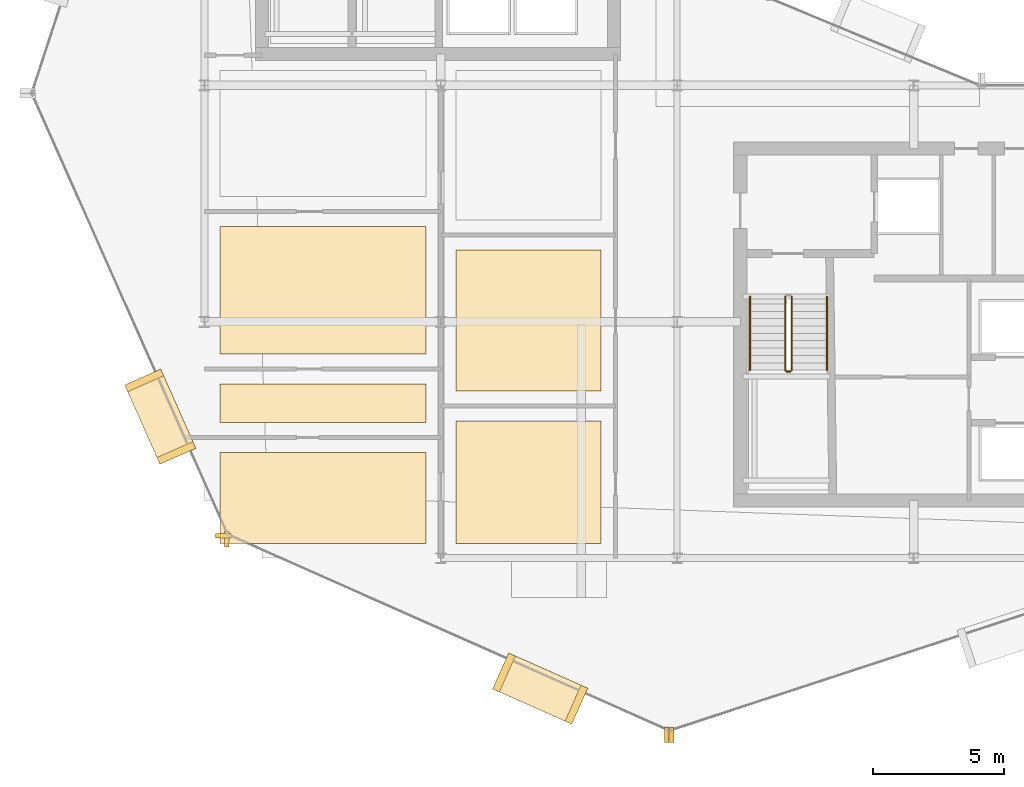
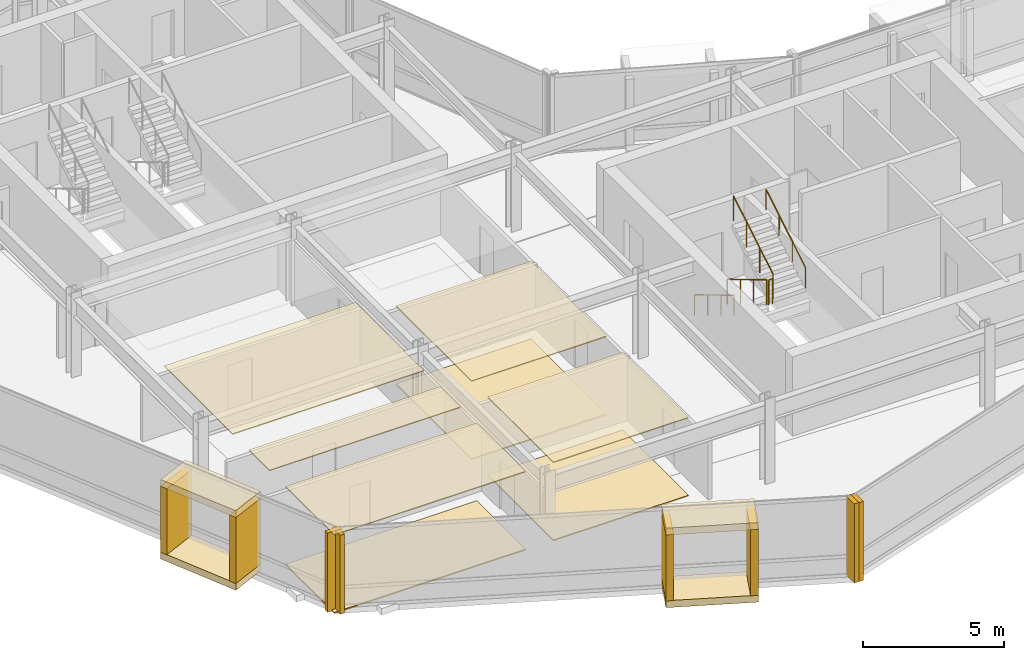
# One storey, part 22 of 27: 20 coverings, 5 railings.
"""IFC4 building model written with IfcOpenShell, lengths in metres."""

from ifc_helpers import new_model, si_unit, direction, frame, origin, origin_2d, place, context, subcontext, project, spatial, polyline, rectangle, circle, outline, extrude, material, layer, layer_set, type_object, element, save


model = new_model("IFC4")

# Units and contexts
model_context = context("Model", 3, precision=1e-05, world=origin(), true_north=direction((0.0, 1.0)))
body_context = subcontext(model_context, "Body", "Model", "MODEL_VIEW")
ifc_project = project(units=[si_unit("LENGTHUNIT", "METRE"), si_unit("AREAUNIT", "SQUARE_METRE"), si_unit("VOLUMEUNIT", "CUBIC_METRE"), si_unit("PLANEANGLEUNIT", "RADIAN"), si_unit("MASSUNIT", "GRAM", prefix="KILO")], contexts=[model_context])

# Site, building, storey
site_placement = place(None, origin())
site = spatial("IfcSite", under=ifc_project, at=site_placement, CompositionType="ELEMENT")
building_placement = place(site_placement, origin())
building = spatial("IfcBuilding", under=site, at=building_placement, Name="Solvaryn Broadcast Tower", CompositionType="ELEMENT")
storey_placement = place(building_placement, frame((0.0, 0.0, 174.199951171875)))
storey = spatial("IfcBuildingStorey", under=building, at=storey_placement, Name="L43", CompositionType="ELEMENT", Elevation=174.199951171875)

# Coverings
ifc_material_1 = material(Name="Micro-Perforated Acoustic Gypsum Ceiling", Category="concrete")
ifc_layer_1 = layer(ifc_material_1, 0.0400390625)
ifc_layer_set_1 = layer_set([ifc_layer_1], Name="CV-CEIL-ACOUSTIC")
covering_type_1 = type_object("IfcCoveringType", Name="CV-CEIL-ACOUSTIC", PredefinedType="CEILING", material=ifc_layer_set_1)
covering_1_placement = place(storey_placement, frame((0.0, 0.0, 3.380126953125)))
element("IfcCovering", 1, at=covering_1_placement, inside=storey, type_object=covering_type_1, Name="L43 Room Acoustic Ceiling 1", PredefinedType="CEILING", context=body_context, shape_type="SweptSolid", body=[
    extrude(outline(polyline([(18.570068359375, 9.570068359375), (24.10009765625, 9.570068359375), (24.10009765625, 14.22998046875), (18.570068359375, 14.22998046875), (18.570068359375, 9.570068359375)])), origin(), (0.0, 0.0, 1.0), 0.0400390625),
])
covering_2_placement = place(storey_placement, frame((0.0, 0.0, 3.380126953125)))
element("IfcCovering", 2, at=covering_2_placement, inside=storey, type_object=covering_type_1, Name="L43 Room Acoustic Ceiling 2", PredefinedType="CEILING", context=body_context, shape_type="SweptSolid", body=[
    extrude(outline(polyline([(18.570068359375, 15.3701171875), (24.10009765625, 15.3701171875), (24.10009765625, 20.72998046875), (18.570068359375, 20.72998046875), (18.570068359375, 15.3701171875)])), origin(), (0.0, 0.0, 1.0), 0.0400390625),
])
covering_3_placement = place(storey_placement, frame((0.0, 0.0, 3.380126953125)))
element("IfcCovering", 3, at=covering_3_placement, inside=storey, type_object=covering_type_1, Name="L43 Room Acoustic Ceiling 4", PredefinedType="CEILING", context=body_context, shape_type="SweptSolid", body=[
    extrude(outline(polyline([(9.60009765625, 9.570068359375), (17.429931640625, 9.570068359375), (17.429931640625, 13.030029296875), (9.60009765625, 13.030029296875), (9.60009765625, 9.570068359375)])), origin(), (0.0, 0.0, 1.0), 0.0400390625),
])
covering_4_placement = place(storey_placement, frame((0.0, 0.0, 3.380126953125)))
element("IfcCovering", 4, at=covering_4_placement, inside=storey, type_object=covering_type_1, Name="L43 Room Acoustic Ceiling 5", PredefinedType="CEILING", context=body_context, shape_type="SweptSolid", body=[
    extrude(outline(polyline([(9.60009765625, 14.169921875), (17.429931640625, 14.169921875), (17.429931640625, 15.6298828125), (9.60009765625, 15.6298828125), (9.60009765625, 14.169921875)])), origin(), (0.0, 0.0, 1.0), 0.0400390625),
])
covering_5_placement = place(storey_placement, frame((0.0, 0.0, 3.380126953125)))
element("IfcCovering", 5, at=covering_5_placement, inside=storey, type_object=covering_type_1, Name="L43 Room Acoustic Ceiling 6", PredefinedType="CEILING", context=body_context, shape_type="SweptSolid", body=[
    extrude(outline(polyline([(9.60009765625, 16.77001953125), (17.429931640625, 16.77001953125), (17.429931640625, 21.6298828125), (9.60009765625, 21.6298828125), (9.60009765625, 16.77001953125)])), origin(), (0.0, 0.0, 1.0), 0.0400390625),
])
ifc_material_2 = material(Name="Newsroom Raised Data Access Flooring", Category="steel")
ifc_layer_2 = layer(ifc_material_2, 0.050048828125)
ifc_layer_set_2 = layer_set([ifc_layer_2], Name="CV-FLOOR-RAISED")
covering_type_2 = type_object("IfcCoveringType", Name="CV-FLOOR-RAISED", PredefinedType="FLOORING", material=ifc_layer_set_2)
covering_6_placement = place(storey_placement, origin())
element("IfcCovering", 6, at=covering_6_placement, inside=storey, type_object=covering_type_2, Name="L43 Room Acoustic Floor Finish 1", PredefinedType="FLOORING", context=body_context, shape_type="SweptSolid", body=[
    extrude(outline(polyline([(18.570068359375, 9.570068359375), (24.10009765625, 9.570068359375), (24.10009765625, 14.22998046875), (18.570068359375, 14.22998046875), (18.570068359375, 9.570068359375)])), origin(), (0.0, 0.0, 1.0), 0.050048828125),
])
covering_7_placement = place(storey_placement, origin())
element("IfcCovering", 7, at=covering_7_placement, inside=storey, type_object=covering_type_2, Name="L43 Room Acoustic Floor Finish 2", PredefinedType="FLOORING", context=body_context, shape_type="SweptSolid", body=[
    extrude(outline(polyline([(18.570068359375, 15.3701171875), (24.10009765625, 15.3701171875), (24.10009765625, 20.72998046875), (18.570068359375, 20.72998046875), (18.570068359375, 15.3701171875)])), origin(), (0.0, 0.0, 1.0), 0.050048828125),
])
covering_8_placement = place(storey_placement, origin())
element("IfcCovering", 8, at=covering_8_placement, inside=storey, type_object=covering_type_2, Name="L43 Room Acoustic Floor Finish 4", PredefinedType="FLOORING", context=body_context, shape_type="SweptSolid", body=[
    extrude(outline(polyline([(9.60009765625, 9.570068359375), (17.429931640625, 9.570068359375), (17.429931640625, 13.030029296875), (9.60009765625, 13.030029296875), (9.60009765625, 9.570068359375)])), origin(), (0.0, 0.0, 1.0), 0.050048828125),
])
ifc_material_3 = material(Name="Glazed Architectural Terracotta Rainscreen Cladding", Category="masonry")
ifc_layer_3 = layer(ifc_material_3, 0.280029296875)
ifc_layer_set_3 = layer_set([ifc_layer_3], Name="CV-TC-CLAD")
covering_type_3 = type_object("IfcCoveringType", Name="CV-TC-CLAD", PredefinedType="CLADDING", material=ifc_layer_set_3)
for number, where, z_axis, x_axis, name in (
    (9, (7.322998046875, 14.388916015625, 3.1298828125), (0.0, 0.0, 1.0), (0.405939269498, -0.913900054426, 0.0), "L43 Projecting Stone Window Box Hood 2"),
    (10, (7.322998046875, 14.388916015625, -0.009765625), (0.0, 0.0, 1.0), (0.405939269498, -0.913900054426, 0.0), "L43 Projecting Stone Window Box Sill 2"),
):
    element("IfcCovering", number, at=place(storey_placement, frame(where, z_axis=z_axis, x_axis=x_axis)), inside=storey, type_object=covering_type_3, Name=name, PredefinedType="CLADDING", context=body_context, shape_type="SweptSolid", body=[
        extrude(rectangle(XDim=3.300048828125, YDim=1.5, at=origin_2d()), origin(), (0.0, 0.0, 1.0), 0.300048828125),
    ])
for number, where, z_axis, x_axis, name in (
    (11, (6.7099609375, 15.76904296875, 0.27978515625), (0.0, 0.0, 1.0), (0.405939269498, -0.913900054426, 0.0), "L43 Projecting Stone Window Box Cheek 2-1"),
    (12, (7.93603515625, 13.009033203125, 0.27978515625), (0.0, 0.0, 1.0), (0.405939269498, -0.913900054426, 0.0), "L43 Projecting Stone Window Box Cheek 2-2"),
):
    element("IfcCovering", number, at=place(storey_placement, frame(where, z_axis=z_axis, x_axis=x_axis)), inside=storey, type_object=covering_type_3, Name=name, PredefinedType="CLADDING", context=body_context, shape_type="SweptSolid", body=[
        extrude(rectangle(XDim=0.280029296875, YDim=1.5, at=origin_2d()), origin(), (0.0, 0.0, 1.0), 2.860107421875),
    ])
for number, where, z_axis, x_axis, name in (
    (13, (21.784912109375, 4.0390625, 3.1298828125), (0.0, 0.0, 1.0), (0.913900054426, -0.405939269498, 0.0), "L43 Projecting Stone Window Box Hood 3"),
    (14, (21.784912109375, 4.0390625, -0.009765625), (0.0, 0.0, 1.0), (0.913900054426, -0.405939269498, 0.0), "L43 Projecting Stone Window Box Sill 3"),
):
    element("IfcCovering", number, at=place(storey_placement, frame(where, z_axis=z_axis, x_axis=x_axis)), inside=storey, type_object=covering_type_3, Name=name, PredefinedType="CLADDING", context=body_context, shape_type="SweptSolid", body=[
        extrude(rectangle(XDim=3.300048828125, YDim=1.5, at=origin_2d()), origin(), (0.0, 0.0, 1.0), 0.300048828125),
    ])
for number, where, z_axis, x_axis, name in (
    (15, (20.405029296875, 4.652099609375, 0.27978515625), (0.0, 0.0, 1.0), (0.913900054426, -0.405939269498, 0.0), "L43 Projecting Stone Window Box Cheek 3-1"),
    (16, (23.1650390625, 3.426025390625, 0.27978515625), (0.0, 0.0, 1.0), (0.913900054426, -0.405939269498, 0.0), "L43 Projecting Stone Window Box Cheek 3-2"),
):
    element("IfcCovering", number, at=place(storey_placement, frame(where, z_axis=z_axis, x_axis=x_axis)), inside=storey, type_object=covering_type_3, Name=name, PredefinedType="CLADDING", context=body_context, shape_type="SweptSolid", body=[
        extrude(rectangle(XDim=0.280029296875, YDim=1.5, at=origin_2d()), origin(), (0.0, 0.0, 1.0), 2.860107421875),
    ])
ifc_material_4 = material(Name="Extruded Architectural Terracotta Fin", Category="masonry")
ifc_layer_4 = layer(ifc_material_4, 0.179931640625)
ifc_layer_set_4 = layer_set([ifc_layer_4], Name="CV-TC-FIN")
covering_type_4 = type_object("IfcCoveringType", Name="CV-TC-FIN", PredefinedType="USERDEFINED", material=ifc_layer_set_4)
covering_9_placement = place(storey_placement, frame((9.7216796875, 9.852783203125, 0.0), z_axis=(0.0, 0.0, 1.0), x_axis=(1.0, 0.0, 0.0)))
element("IfcCovering", 17, at=covering_9_placement, inside=storey, type_object=covering_type_4, Name="L43 Terracotta Vertical Fin FIN-L43-DR2-M01", ObjectType="FIN", PredefinedType="USERDEFINED", context=body_context, shape_type="SweptSolid", body=[
    extrude(rectangle(XDim=0.580078125, YDim=0.179931640625, at=origin_2d()), origin(), (0.0, 0.0, 1.0), 3.419921875),
])
for number, where, z_axis, x_axis, name in (
    (18, (9.852783203125, 9.7216796875, 0.0), (0.0, 0.0, 1.0), (1.0, 0.0, 0.0), "L43 Terracotta Vertical Fin FIN-L43-DR3-M00"),
    (19, (26.605712890625, 2.281005859375, 0.0), (0.0, 0.0, 1.0), (1.0, 0.0, 0.0), "L43 Terracotta Vertical Fin FIN-L43-DR3-M01"),
    (20, (26.790771484375, 2.271240234375, 0.0), (0.0, 0.0, 1.0), (1.0, 0.0, 0.0), "L43 Terracotta Vertical Fin FIN-L43-DR4-M00"),
):
    element("IfcCovering", number, at=place(storey_placement, frame(where, z_axis=z_axis, x_axis=x_axis)), inside=storey, type_object=covering_type_4, Name=name, ObjectType="FIN", PredefinedType="USERDEFINED", context=body_context, shape_type="SweptSolid", body=[
        extrude(rectangle(XDim=0.179931640625, YDim=0.580078125, at=origin_2d()), origin(), (0.0, 0.0, 1.0), 3.419921875),
    ])

# Railings
ifc_material_5 = material(Name="Painted Steel Stair Well Guard", Category="steel")
railing_type_1 = type_object("IfcRailingType", Name="RL-STAIR-GUARD", PredefinedType="BALUSTRADE", material=ifc_material_5)
railing_1_placement = place(storey_placement, frame((31.110107421875, 18.9599609375, 0.168212890625)))
element("IfcRailing", 21, at=railing_1_placement, inside=storey, type_object=railing_type_1, Name="L43 ST3 stair guard 1", PredefinedType="BALUSTRADE", context=body_context, shape_type="SweptSolid", body=[
    extrude(circle(Radius=0.02392578125, at=origin_2d()), frame((0.0, 0.0, 1.076171875), z_axis=(0.0, -0.857242210791, 0.514913383045), x_axis=(1.0, 0.0, 0.0)), (0.0, 0.0, 1.0), 3.266357421875),
    extrude(circle(Radius=0.02099609375, at=origin_2d()), origin(), (0.0, 0.0, 1.0), 1.052001953125),
    extrude(circle(Radius=0.02099609375, at=origin_2d()), frame((0.0, -0.933349609375, 0.560546875)), (0.0, 0.0, 1.0), 1.052001953125),
    extrude(circle(Radius=0.02099609375, at=origin_2d()), frame((0.0, -1.86669921875, 1.121337890625)), (0.0, 0.0, 1.0), 1.052001953125),
    extrude(circle(Radius=0.02099609375, at=origin_2d()), frame((0.0, -2.800048828125, 1.681884765625)), (0.0, 0.0, 1.0), 1.052001953125),
])
railing_2_placement = place(storey_placement, frame((31.159912109375, 16.110107421875, 1.85009765625)))
element("IfcRailing", 22, at=railing_2_placement, inside=storey, type_object=railing_type_1, Name="L43 ST3 stair guard 2", PredefinedType="BALUSTRADE", context=body_context, shape_type="SweptSolid", body=[
    extrude(circle(Radius=0.02392578125, at=origin_2d()), frame((0.0, 0.0, 1.076171875), z_axis=(1.0, 0.0, 0.0), x_axis=(0.0, 1.0, 0.0)), (0.0, 0.0, 1.0), 0.150146484375),
    extrude(circle(Radius=0.02099609375, at=origin_2d()), origin(), (0.0, 0.0, 1.0), 1.052001953125),
    extrude(circle(Radius=0.02099609375, at=origin_2d()), frame((0.150146484375, 0.0, 0.0)), (0.0, 0.0, 1.0), 1.052001953125),
])
railing_3_placement = place(storey_placement, frame((31.360107421875, 16.159912109375, 2.018310546875)))
element("IfcRailing", 23, at=railing_3_placement, inside=storey, type_object=railing_type_1, Name="L43 ST3 stair guard 3", PredefinedType="BALUSTRADE", context=body_context, shape_type="SweptSolid", body=[
    extrude(circle(Radius=0.02392578125, at=origin_2d()), frame((0.0, 0.0, 1.076171875), z_axis=(0.0, 0.857275202839, 0.514858452973), x_axis=(-1.0, 0.0, 0.0)), (0.0, 0.0, 1.0), 3.26611328125),
    extrude(circle(Radius=0.02099609375, at=origin_2d()), origin(), (0.0, 0.0, 1.0), 1.052001953125),
    extrude(circle(Radius=0.02099609375, at=origin_2d()), frame((0.0, 0.933349609375, 0.560546875)), (0.0, 0.0, 1.0), 1.052001953125),
    extrude(circle(Radius=0.02099609375, at=origin_2d()), frame((0.0, 1.86669921875, 1.12109375)), (0.0, 0.0, 1.0), 1.052001953125),
    extrude(circle(Radius=0.02099609375, at=origin_2d()), frame((0.0, 2.800048828125, 1.681640625)), (0.0, 0.0, 1.0), 1.052001953125),
])
ifc_material_6 = material(Name="Brushed Stainless Steel Tubular Handrail", Category="steel")
railing_type_2 = type_object("IfcRailingType", Name="RL-STAIR-HANDRAIL", PredefinedType="HANDRAIL", material=ifc_material_6)
railing_4_placement = place(storey_placement, frame((29.77001953125, 18.9599609375, 0.168212890625)))
element("IfcRailing", 24, at=railing_4_placement, inside=storey, type_object=railing_type_2, Name="L43 ST3 stair handrail 1", PredefinedType="HANDRAIL", context=body_context, shape_type="SweptSolid", body=[
    extrude(circle(Radius=0.02392578125, at=origin_2d()), frame((0.0, 0.0, 0.8759765625), z_axis=(0.0, -0.857242210791, 0.514913383045), x_axis=(1.0, 0.0, 0.0)), (0.0, 0.0, 1.0), 3.266357421875),
    extrude(circle(Radius=0.02099609375, at=origin_2d()), origin(), (0.0, 0.0, 1.0), 0.851806640625),
    extrude(circle(Radius=0.02099609375, at=origin_2d()), frame((0.0, -0.933349609375, 0.560546875)), (0.0, 0.0, 1.0), 0.851806640625),
    extrude(circle(Radius=0.02099609375, at=origin_2d()), frame((0.0, -1.86669921875, 1.121337890625)), (0.0, 0.0, 1.0), 0.851806640625),
    extrude(circle(Radius=0.02099609375, at=origin_2d()), frame((0.0, -2.800048828125, 1.681884765625)), (0.0, 0.0, 1.0), 0.851806640625),
])
railing_5_placement = place(storey_placement, frame((32.699951171875, 16.159912109375, 2.018310546875)))
element("IfcRailing", 25, at=railing_5_placement, inside=storey, type_object=railing_type_2, Name="L43 ST3 stair handrail 2", PredefinedType="HANDRAIL", context=body_context, shape_type="SweptSolid", body=[
    extrude(circle(Radius=0.02392578125, at=origin_2d()), frame((0.0, 0.0, 0.8759765625), z_axis=(0.0, 0.857275202839, 0.514858452973), x_axis=(-1.0, 0.0, 0.0)), (0.0, 0.0, 1.0), 3.26611328125),
    extrude(circle(Radius=0.02099609375, at=origin_2d()), origin(), (0.0, 0.0, 1.0), 0.851806640625),
    extrude(circle(Radius=0.02099609375, at=origin_2d()), frame((0.0, 0.933349609375, 0.560546875)), (0.0, 0.0, 1.0), 0.851806640625),
    extrude(circle(Radius=0.02099609375, at=origin_2d()), frame((0.0, 1.86669921875, 1.12109375)), (0.0, 0.0, 1.0), 0.851806640625),
    extrude(circle(Radius=0.02099609375, at=origin_2d()), frame((0.0, 2.800048828125, 1.681640625)), (0.0, 0.0, 1.0), 0.851806640625),
])

save(model, "model.ifc")
